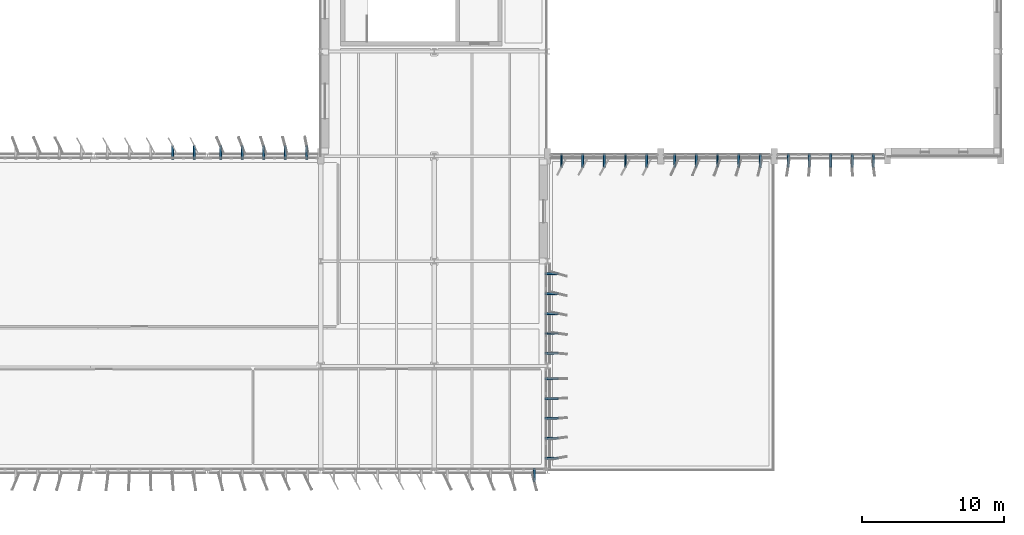
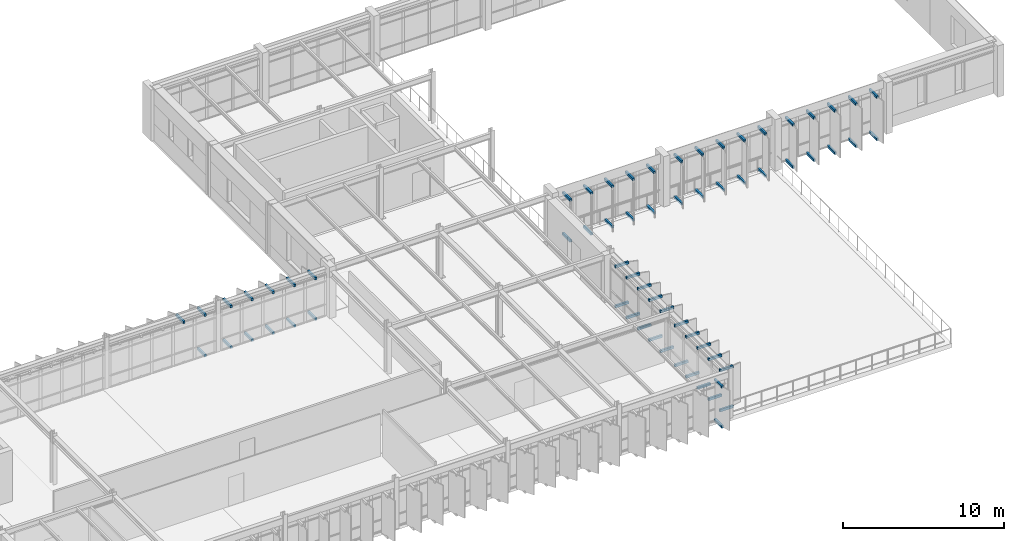
# One storey, part 37 of 45: 65 discrete accessories.
"""IFC4 building model written with IfcOpenShell, lengths in metres."""

from ifc_helpers import new_model, si_unit, direction, frame, origin, origin_2d, place, context, subcontext, project, spatial, rectangle, extrude, material, type_object, element, save


model = new_model("IFC4")

# Units and contexts
model_context = context("Model", 3, precision=1e-05, world=origin(), true_north=direction((0.0, 1.0)))
body_context = subcontext(model_context, "Body", "Model", "MODEL_VIEW")
ifc_project = project(units=[si_unit("LENGTHUNIT", "METRE"), si_unit("AREAUNIT", "SQUARE_METRE"), si_unit("VOLUMEUNIT", "CUBIC_METRE"), si_unit("PLANEANGLEUNIT", "RADIAN"), si_unit("MASSUNIT", "GRAM", prefix="KILO")], contexts=[model_context])

# Site, building, storey
site_placement = place(None, origin())
site = spatial("IfcSite", under=ifc_project, at=site_placement, CompositionType="ELEMENT")
building_placement = place(site_placement, origin())
building = spatial("IfcBuilding", under=site, at=building_placement, Name="Valkorina Park Police Headquarters", CompositionType="ELEMENT")
storey_placement = place(building_placement, frame((0.0, 0.0, 23.300048828125)))
storey = spatial("IfcBuildingStorey", under=building, at=storey_placement, Name="L06", CompositionType="ELEMENT", Elevation=23.300048828125)

# Discrete accessories
ifc_material = material(Name="Thermally broken aluminium AW-6060", Category="aluminium")
discrete_accessory_type = type_object("IfcDiscreteAccessoryType", Name="ACC-BRACKET-LOUVRE", PredefinedType="BRACKET", material=ifc_material)
for number, where, z_axis, x_axis, name in (
    (1, (70.3359375, 59.47998046875, 3.02001953125), (0.0, 0.0, 1.0), (0.0, 1.0, 0.0), "Louvre Outrigger Bracket TOP 0738"),
    (2, (71.8720703125, 59.47998046875, -0.06982421875), (0.0, 0.0, 1.0), (0.0, 1.0, 0.0), "Louvre Outrigger Bracket BOT 0739"),
    (3, (71.8720703125, 59.47998046875, 3.02001953125), (0.0, 0.0, 1.0), (0.0, 1.0, 0.0), "Louvre Outrigger Bracket TOP 0740"),
    (4, (73.720458984375, 59.47998046875, -0.06982421875), (0.0, 0.0, 1.0), (0.0, 1.0, 0.0), "Louvre Outrigger Bracket BOT 0741"),
    (5, (73.720458984375, 59.47998046875, 3.02001953125), (0.0, 0.0, 1.0), (0.0, 1.0, 0.0), "Louvre Outrigger Bracket TOP 0742"),
    (6, (75.241455078125, 59.47998046875, -0.06982421875), (0.0, 0.0, 1.0), (0.0, 1.0, 0.0), "Louvre Outrigger Bracket BOT 0743"),
    (7, (75.241455078125, 59.47998046875, 3.02001953125), (0.0, 0.0, 1.0), (0.0, 1.0, 0.0), "Louvre Outrigger Bracket TOP 0744"),
    (8, (76.762451171875, 59.47998046875, -0.06982421875), (0.0, 0.0, 1.0), (0.0, 1.0, 0.0), "Louvre Outrigger Bracket BOT 0745"),
    (9, (76.762451171875, 59.47998046875, 3.02001953125), (0.0, 0.0, 1.0), (0.0, 1.0, 0.0), "Louvre Outrigger Bracket TOP 0746"),
    (10, (78.283447265625, 59.47998046875, -0.06982421875), (0.0, 0.0, 1.0), (0.0, 1.0, 0.0), "Louvre Outrigger Bracket BOT 0747"),
    (11, (78.283447265625, 59.47998046875, 3.02001953125), (0.0, 0.0, 1.0), (0.0, 1.0, 0.0), "Louvre Outrigger Bracket TOP 0748"),
    (12, (79.804443359375, 59.47998046875, -0.06982421875), (0.0, 0.0, 1.0), (0.0, 1.0, 0.0), "Louvre Outrigger Bracket BOT 0749"),
    (13, (79.804443359375, 59.47998046875, 3.02001953125), (0.0, 0.0, 1.0), (0.0, 1.0, 0.0), "Louvre Outrigger Bracket TOP 0750"),
    (14, (119.81201171875, 58.919921875, -0.06982421875), (0.0, 0.0, 1.0), (0.0, -1.0, 0.0), "Louvre Outrigger Bracket BOT 0751"),
    (15, (119.81201171875, 58.919921875, 3.1298828125), (0.0, 0.0, 1.0), (0.0, -1.0, 0.0), "Louvre Outrigger Bracket TOP 0752"),
    (16, (118.305908203125, 58.919921875, -0.06982421875), (0.0, 0.0, 1.0), (0.0, -1.0, 0.0), "Louvre Outrigger Bracket BOT 0753"),
    (17, (118.305908203125, 58.919921875, 3.1298828125), (0.0, 0.0, 1.0), (0.0, -1.0, 0.0), "Louvre Outrigger Bracket TOP 0754"),
    (18, (116.800048828125, 58.919921875, -0.06982421875), (0.0, 0.0, 1.0), (0.0, -1.0, 0.0), "Louvre Outrigger Bracket BOT 0755"),
    (19, (116.800048828125, 58.919921875, 3.1298828125), (0.0, 0.0, 1.0), (0.0, -1.0, 0.0), "Louvre Outrigger Bracket TOP 0756"),
    (20, (115.2939453125, 58.919921875, -0.06982421875), (0.0, 0.0, 1.0), (0.0, -1.0, 0.0), "Louvre Outrigger Bracket BOT 0757"),
    (21, (115.2939453125, 58.919921875, 3.1298828125), (0.0, 0.0, 1.0), (0.0, -1.0, 0.0), "Louvre Outrigger Bracket TOP 0758"),
    (22, (113.7880859375, 58.919921875, -0.06982421875), (0.0, 0.0, 1.0), (0.0, -1.0, 0.0), "Louvre Outrigger Bracket BOT 0759"),
    (23, (113.7880859375, 58.919921875, 3.1298828125), (0.0, 0.0, 1.0), (0.0, -1.0, 0.0), "Louvre Outrigger Bracket TOP 0760"),
    (24, (111.81201171875, 58.919921875, -0.06982421875), (0.0, 0.0, 1.0), (0.0, -1.0, 0.0), "Louvre Outrigger Bracket BOT 0761"),
    (25, (111.81201171875, 58.919921875, 3.1298828125), (0.0, 0.0, 1.0), (0.0, -1.0, 0.0), "Louvre Outrigger Bracket TOP 0762"),
    (26, (110.305908203125, 58.919921875, -0.06982421875), (0.0, 0.0, 1.0), (0.0, -1.0, 0.0), "Louvre Outrigger Bracket BOT 0763"),
    (27, (110.305908203125, 58.919921875, 3.1298828125), (0.0, 0.0, 1.0), (0.0, -1.0, 0.0), "Louvre Outrigger Bracket TOP 0764"),
    (28, (108.800048828125, 58.919921875, -0.06982421875), (0.0, 0.0, 1.0), (0.0, -1.0, 0.0), "Louvre Outrigger Bracket BOT 0765"),
    (29, (108.800048828125, 58.919921875, 3.1298828125), (0.0, 0.0, 1.0), (0.0, -1.0, 0.0), "Louvre Outrigger Bracket TOP 0766"),
    (30, (107.2939453125, 58.919921875, -0.06982421875), (0.0, 0.0, 1.0), (0.0, -1.0, 0.0), "Louvre Outrigger Bracket BOT 0767"),
    (31, (107.2939453125, 58.919921875, 3.1298828125), (0.0, 0.0, 1.0), (0.0, -1.0, 0.0), "Louvre Outrigger Bracket TOP 0768"),
    (32, (105.7880859375, 58.919921875, -0.06982421875), (0.0, 0.0, 1.0), (0.0, -1.0, 0.0), "Louvre Outrigger Bracket BOT 0769"),
    (33, (105.7880859375, 58.919921875, 3.1298828125), (0.0, 0.0, 1.0), (0.0, -1.0, 0.0), "Louvre Outrigger Bracket TOP 0770"),
    (34, (103.81201171875, 58.919921875, -0.06982421875), (0.0, 0.0, 1.0), (0.0, -1.0, 0.0), "Louvre Outrigger Bracket BOT 0771"),
    (35, (103.81201171875, 58.919921875, 3.02001953125), (0.0, 0.0, 1.0), (0.0, -1.0, 0.0), "Louvre Outrigger Bracket TOP 0772"),
    (36, (102.305908203125, 58.919921875, -0.06982421875), (0.0, 0.0, 1.0), (0.0, -1.0, 0.0), "Louvre Outrigger Bracket BOT 0773"),
    (37, (102.305908203125, 58.919921875, 3.02001953125), (0.0, 0.0, 1.0), (0.0, -1.0, 0.0), "Louvre Outrigger Bracket TOP 0774"),
    (38, (100.800048828125, 58.919921875, -0.06982421875), (0.0, 0.0, 1.0), (0.0, -1.0, 0.0), "Louvre Outrigger Bracket BOT 0775"),
    (39, (100.800048828125, 58.919921875, 3.02001953125), (0.0, 0.0, 1.0), (0.0, -1.0, 0.0), "Louvre Outrigger Bracket TOP 0776"),
    (40, (99.2939453125, 58.919921875, -0.06982421875), (0.0, 0.0, 1.0), (0.0, -1.0, 0.0), "Louvre Outrigger Bracket BOT 0777"),
    (41, (99.2939453125, 58.919921875, 3.02001953125), (0.0, 0.0, 1.0), (0.0, -1.0, 0.0), "Louvre Outrigger Bracket TOP 0778"),
    (42, (97.7880859375, 58.919921875, -0.06982421875), (0.0, 0.0, 1.0), (0.0, -1.0, 0.0), "Louvre Outrigger Bracket BOT 0779"),
    (43, (97.7880859375, 58.919921875, 3.02001953125), (0.0, 0.0, 1.0), (0.0, -1.0, 0.0), "Louvre Outrigger Bracket TOP 0780"),
    (44, (97.080078125, 50.907958984375, -0.06982421875), (0.0, 0.0, 1.0), (1.0, 0.0, 0.0), "Louvre Outrigger Bracket BOT 0781"),
    (45, (97.080078125, 50.907958984375, 2.9599609375), (0.0, 0.0, 1.0), (1.0, 0.0, 0.0), "Louvre Outrigger Bracket TOP 0782"),
    (46, (97.080078125, 49.50390625, -0.06982421875), (0.0, 0.0, 1.0), (1.0, 0.0, 0.0), "Louvre Outrigger Bracket BOT 0783"),
    (47, (97.080078125, 49.50390625, 2.9599609375), (0.0, 0.0, 1.0), (1.0, 0.0, 0.0), "Louvre Outrigger Bracket TOP 0784"),
    (48, (97.080078125, 48.10009765625, -0.06982421875), (0.0, 0.0, 1.0), (1.0, 0.0, 0.0), "Louvre Outrigger Bracket BOT 0785"),
    (49, (97.080078125, 48.10009765625, 2.9599609375), (0.0, 0.0, 1.0), (1.0, 0.0, 0.0), "Louvre Outrigger Bracket TOP 0786"),
    (50, (97.080078125, 46.696044921875, -0.06982421875), (0.0, 0.0, 1.0), (1.0, 0.0, 0.0), "Louvre Outrigger Bracket BOT 0787"),
    (51, (97.080078125, 46.696044921875, 2.9599609375), (0.0, 0.0, 1.0), (1.0, 0.0, 0.0), "Louvre Outrigger Bracket TOP 0788"),
    (52, (97.080078125, 45.2919921875, -0.06982421875), (0.0, 0.0, 1.0), (1.0, 0.0, 0.0), "Louvre Outrigger Bracket BOT 0789"),
    (53, (97.080078125, 45.2919921875, 2.9599609375), (0.0, 0.0, 1.0), (1.0, 0.0, 0.0), "Louvre Outrigger Bracket TOP 0790"),
    (54, (97.080078125, 43.508056640625, -0.06982421875), (0.0, 0.0, 1.0), (1.0, 0.0, 0.0), "Louvre Outrigger Bracket BOT 0791"),
    (55, (97.080078125, 43.508056640625, 2.9599609375), (0.0, 0.0, 1.0), (1.0, 0.0, 0.0), "Louvre Outrigger Bracket TOP 0792"),
    (56, (97.080078125, 42.10400390625, -0.06982421875), (0.0, 0.0, 1.0), (1.0, 0.0, 0.0), "Louvre Outrigger Bracket BOT 0793"),
    (57, (97.080078125, 42.10400390625, 2.9599609375), (0.0, 0.0, 1.0), (1.0, 0.0, 0.0), "Louvre Outrigger Bracket TOP 0794"),
    (58, (97.080078125, 40.699951171875, -0.06982421875), (0.0, 0.0, 1.0), (1.0, 0.0, 0.0), "Louvre Outrigger Bracket BOT 0795"),
    (59, (97.080078125, 40.699951171875, 2.9599609375), (0.0, 0.0, 1.0), (1.0, 0.0, 0.0), "Louvre Outrigger Bracket TOP 0796"),
    (60, (97.080078125, 39.2958984375, -0.06982421875), (0.0, 0.0, 1.0), (1.0, 0.0, 0.0), "Louvre Outrigger Bracket BOT 0797"),
    (61, (97.080078125, 39.2958984375, 2.9599609375), (0.0, 0.0, 1.0), (1.0, 0.0, 0.0), "Louvre Outrigger Bracket TOP 0798"),
    (62, (97.080078125, 37.89208984375, -0.06982421875), (0.0, 0.0, 1.0), (1.0, 0.0, 0.0), "Louvre Outrigger Bracket BOT 0799"),
    (63, (97.080078125, 37.89208984375, 2.9599609375), (0.0, 0.0, 1.0), (1.0, 0.0, 0.0), "Louvre Outrigger Bracket TOP 0800"),
    (64, (95.8720703125, 36.719970703125, -0.06982421875), (0.0, 0.0, 1.0), (0.0, -1.0, 0.0), "Louvre Outrigger Bracket BOT 0801"),
    (65, (95.8720703125, 36.719970703125, 2.9599609375), (0.0, 0.0, 1.0), (0.0, -1.0, 0.0), "Louvre Outrigger Bracket TOP 0802"),
):
    element("IfcDiscreteAccessory", number, at=place(storey_placement, frame(where, z_axis=z_axis, x_axis=x_axis)), inside=storey, type_object=discrete_accessory_type, Name=name, PredefinedType="BRACKET", context=body_context, shape_type="SweptSolid", body=[
        extrude(rectangle(XDim=0.9599609375, YDim=0.139892578125, at=origin_2d()), origin(), (0.0, 0.0, 1.0), 0.179931640625),
    ])

save(model, "model.ifc")
